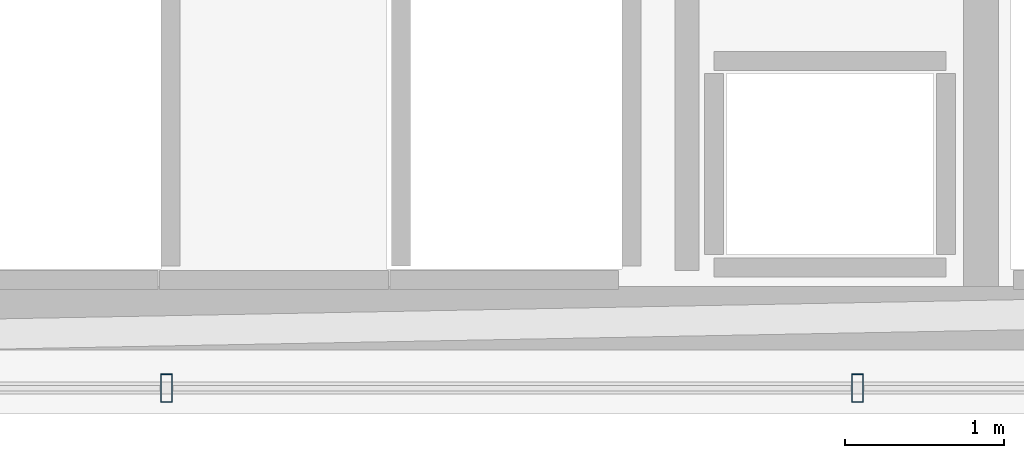
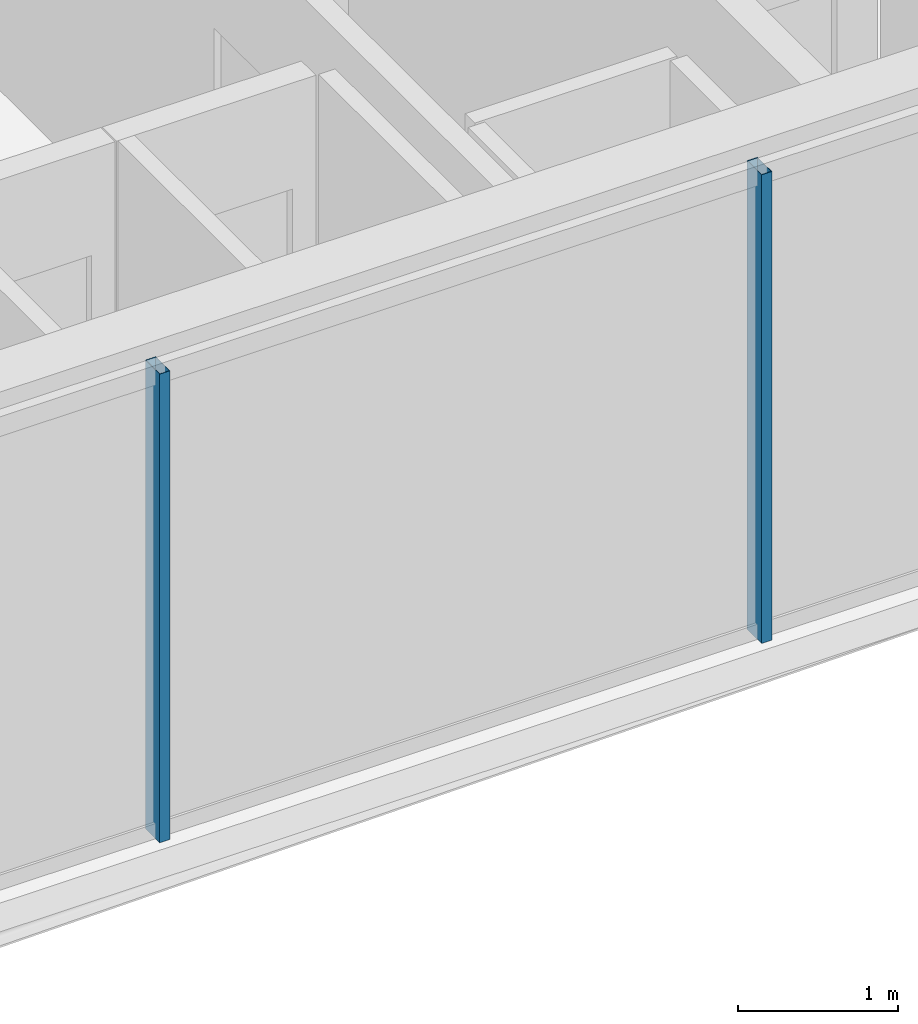
# One storey, part 8 of 29: 2 members, 1 element without a shape of its own.
"""IFC4 building model written with IfcOpenShell, lengths in metres."""

from ifc_helpers import new_model, si_unit, direction, frame, origin, origin_2d, place, context, subcontext, project, spatial, hollow_rectangle, extrude, material, layer, layer_set, material_profile, profile_set, type_object, element, aggregate, save


model = new_model("IFC4")

# Units and contexts
model_context = context("Model", 3, precision=1e-05, world=origin(), true_north=direction((0.0, 1.0)))
body_context = subcontext(model_context, "Body", "Model", "MODEL_VIEW")
ifc_project = project(units=[si_unit("LENGTHUNIT", "METRE"), si_unit("AREAUNIT", "SQUARE_METRE"), si_unit("VOLUMEUNIT", "CUBIC_METRE"), si_unit("PLANEANGLEUNIT", "RADIAN"), si_unit("MASSUNIT", "GRAM", prefix="KILO")], contexts=[model_context])

# Site, building, storey
site_placement = place(None, origin())
site = spatial("IfcSite", under=ifc_project, at=site_placement, CompositionType="ELEMENT")
building_placement = place(site_placement, origin())
building = spatial("IfcBuilding", under=site, at=building_placement, Name="Ndaravel Arena Tower", CompositionType="ELEMENT")
storey_placement = place(building_placement, frame((0.0, 0.0, 233.199951171875)))
storey = spatial("IfcBuildingStorey", under=building, at=storey_placement, Name="L56", CompositionType="ELEMENT", Elevation=233.199951171875)

# Curtain wall, members
ifc_material_1 = material(Name="Aluminium", Category="aluminium")
ifc_layer = layer(ifc_material_1, 0.179931640625)
ifc_layer_set = layer_set([ifc_layer], Name="Aluminium")
curtain_wall_type = type_object("IfcCurtainWallType", Name="CW-SYS-03", PredefinedType="NOTDEFINED", material=ifc_layer_set)
curtain_wall_placement = place(storey_placement, origin())
curtain_wall = element("IfcCurtainWall", 1, at=curtain_wall_placement, inside=storey, type_object=curtain_wall_type, Name="L56 Faceted Crystal Curtain Wall CW-L56-E01", PredefinedType="NOTDEFINED")
ifc_material_2 = material(Name="Aluminium", Category="aluminium")
ifc_material_profile = material_profile(ifc_material_2, hollow_rectangle(XDim=0.074951171875, YDim=0.179931640625, WallThickness=0.00390625, at=origin_2d()), Name="CW MULLION 75x180x4")
ifc_profile_set = profile_set([ifc_material_profile], Name="Aluminium")
member_type = type_object("IfcMemberType", Name="MEM-CW-MUL180", PredefinedType="MULLION", material=ifc_profile_set)
member_1_placement = place(storey_placement, frame((44.17431640625, 5.159912109375, 0.0), z_axis=(0.0, 0.0, 1.0), x_axis=(1.0, 0.0, 0.0)))
member_1 = element("IfcMember", 2, at=member_1_placement, type_object=member_type, Name="CW-L56-E01 Mullion 05", PredefinedType="MULLION", context=body_context, shape_type="SweptSolid", body=[
    extrude(hollow_rectangle(XDim=0.074951171875, YDim=0.179931640625, WallThickness=0.00390625, at=origin_2d()), origin(), (0.0, 0.0, 1.0), 3.580078125),
])
member_2_placement = place(storey_placement, frame((48.52294921875, 5.159912109375, 0.0), z_axis=(0.0, 0.0, 1.0), x_axis=(1.0, 0.0, 0.0)))
member_2 = element("IfcMember", 3, at=member_2_placement, type_object=member_type, Name="CW-L56-E01 Mullion 06", PredefinedType="MULLION", context=body_context, shape_type="SweptSolid", body=[
    extrude(hollow_rectangle(XDim=0.074951171875, YDim=0.179931640625, WallThickness=0.00390625, at=origin_2d()), origin(), (0.0, 0.0, 1.0), 3.580078125),
])
aggregate(curtain_wall, [member_1, member_2])

save(model, "model.ifc")
